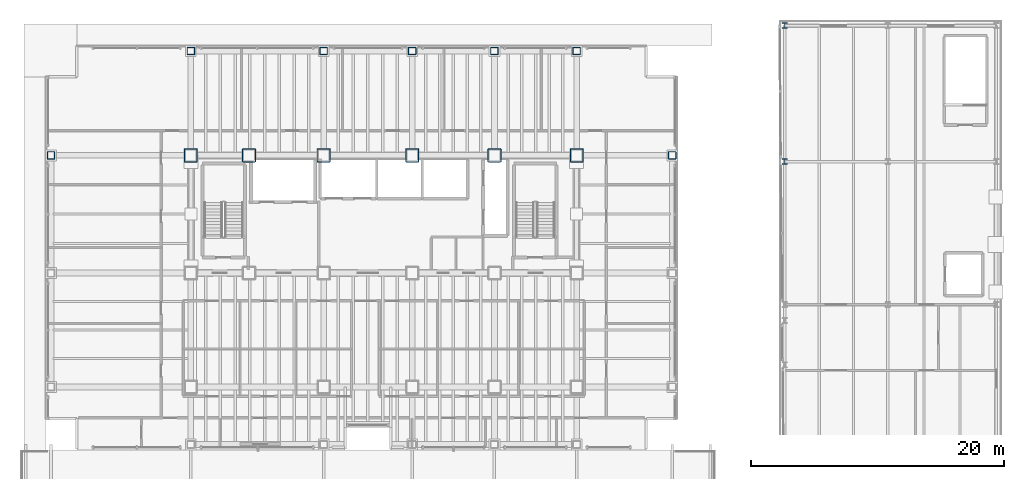
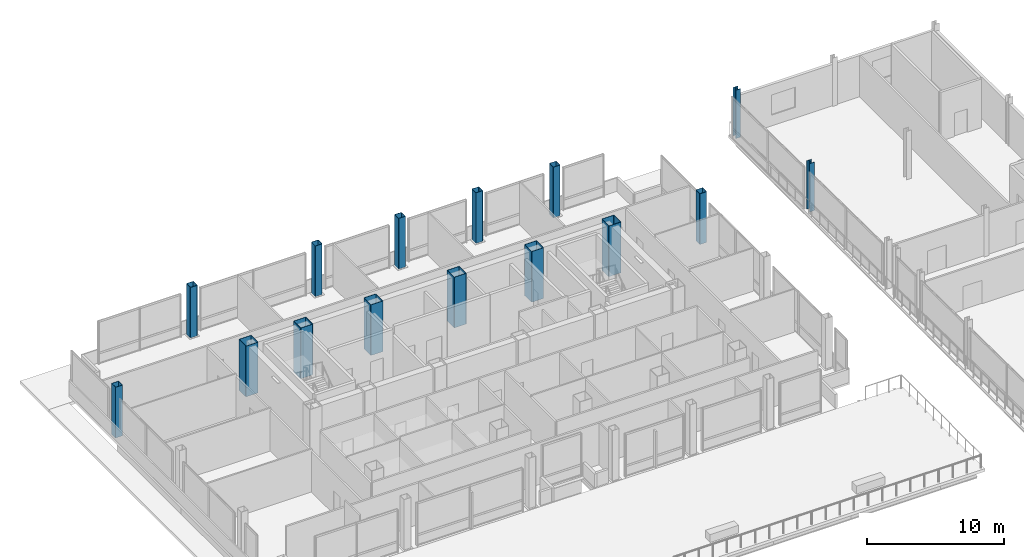
# One storey, part 2 of 34: 15 columns.
"""IFC4 building model written with IfcOpenShell, lengths in metres."""

from ifc_helpers import new_model, si_unit, direction, frame, origin, origin_2d, place, context, subcontext, project, spatial, hollow_rectangle, i_section, extrude, material, material_profile, profile_set, type_object, element, save


model = new_model("IFC4")

# Units and contexts
model_context = context("Model", 3, precision=1e-05, world=origin(), true_north=direction((0.0, 1.0)))
body_context = subcontext(model_context, "Body", "Model", "MODEL_VIEW")
ifc_project = project(units=[si_unit("LENGTHUNIT", "METRE"), si_unit("AREAUNIT", "SQUARE_METRE"), si_unit("VOLUMEUNIT", "CUBIC_METRE"), si_unit("PLANEANGLEUNIT", "RADIAN"), si_unit("MASSUNIT", "GRAM", prefix="KILO")], contexts=[model_context])

# Site, building, storey
site_placement = place(None, origin())
site = spatial("IfcSite", under=ifc_project, at=site_placement, CompositionType="ELEMENT")
building_placement = place(site_placement, origin())
building = spatial("IfcBuilding", under=site, at=building_placement, Name="Noeulbin Bourse Tower", CompositionType="ELEMENT")
storey_placement = place(building_placement, frame((0.0, 0.0, 22.0)))
storey = spatial("IfcBuildingStorey", under=building, at=storey_placement, Name="L05", CompositionType="ELEMENT", Elevation=22.0)

# Columns
ifc_material_1 = material(Name="Steel S355", Category="steel")
ifc_material_profile_1 = material_profile(ifc_material_1, i_section(OverallWidth=0.406982421875, OverallDepth=0.427978515625, WebThickness=0.02001953125, FlangeThickness=0.034912109375, FilletRadius=0.02197265625, at=origin_2d()), Name="H-428x407x20x35", Category="LoadBearing")
ifc_profile_set_1 = profile_set([ifc_material_profile_1], Name="Steel S355")
column_type_1 = type_object("IfcColumnType", Name="COL-MKT-ST", PredefinedType="COLUMN", material=ifc_profile_set_1)
for number, where, z_axis, x_axis, name in (
    (1, (60.449951171875, 37.800048828125, 0.0), (0.0, 0.0, 1.0), (1.0, 0.0, 0.0), "Market Hall Column COL-MKT-ST 06"),
    (2, (60.449951171875, 48.550048828125, 0.0), (0.0, 0.0, 1.0), (1.0, 0.0, 0.0), "Market Hall Column COL-MKT-ST 07"),
):
    element("IfcColumn", number, at=place(storey_placement, frame(where, z_axis=z_axis, x_axis=x_axis)), inside=storey, type_object=column_type_1, Name=name, PredefinedType="COLUMN", context=body_context, shape_type="SweptSolid", body=[
        extrude(i_section(OverallWidth=0.406982421875, OverallDepth=0.427978515625, WebThickness=0.02001953125, FlangeThickness=0.034912109375, FilletRadius=0.02197265625, at=origin_2d()), origin(), (0.0, 0.0, 1.0), 4.2900390625),
    ])
ifc_material_2 = material(Name="Steel S460", Category="steel")
ifc_material_profile_2 = material_profile(ifc_material_2, hollow_rectangle(XDim=0.60009765625, YDim=0.60009765625, WallThickness=0.02587890625, InnerFilletRadius=0.012939453125, OuterFilletRadius=0.0390625, at=origin_2d()), Name="BOX-600x600x26", Category="LoadBearing")
ifc_profile_set_2 = profile_set([ifc_material_profile_2], Name="Steel S460")
column_type_2 = type_object("IfcColumnType", Name="COL-PER-Z1", PredefinedType="COLUMN", material=ifc_profile_set_2)
for number, where, z_axis, x_axis, name in (
    (3, (2.449951171875, 38.300048828125, 0.0), (0.0, 0.0, 1.0), (1.0, 0.0, 0.0), "Tower Perimeter Column COL-PER-Z1 03"),
    (4, (13.5, 46.550048828125, 0.0), (0.0, 0.0, 1.0), (1.0, 0.0, 0.0), "Tower Perimeter Column COL-PER-Z1 05"),
    (5, (24.0, 46.550048828125, 0.0), (0.0, 0.0, 1.0), (1.0, 0.0, 0.0), "Tower Perimeter Column COL-PER-Z1 07"),
    (6, (31.0, 46.550048828125, 0.0), (0.0, 0.0, 1.0), (1.0, 0.0, 0.0), "Tower Perimeter Column COL-PER-Z1 09"),
    (7, (37.5, 46.550048828125, 0.0), (0.0, 0.0, 1.0), (1.0, 0.0, 0.0), "Tower Perimeter Column COL-PER-Z1 11"),
    (8, (44.0, 46.550048828125, 0.0), (0.0, 0.0, 1.0), (1.0, 0.0, 0.0), "Tower Perimeter Column COL-PER-Z1 13"),
    (9, (51.550048828125, 38.300048828125, 0.0), (0.0, 0.0, 1.0), (1.0, 0.0, 0.0), "Tower Perimeter Column COL-PER-Z1 16"),
):
    element("IfcColumn", number, at=place(storey_placement, frame(where, z_axis=z_axis, x_axis=x_axis)), inside=storey, type_object=column_type_2, Name=name, PredefinedType="COLUMN", context=body_context, shape_type="SweptSolid", body=[
        extrude(hollow_rectangle(XDim=0.60009765625, YDim=0.60009765625, WallThickness=0.02587890625, InnerFilletRadius=0.012939453125, OuterFilletRadius=0.0390625, at=origin_2d()), origin(), (0.0, 0.0, 1.0), 4.5),
    ])
ifc_material_profile_3 = material_profile(ifc_material_2, hollow_rectangle(XDim=1.050048828125, YDim=1.050048828125, WallThickness=0.0380859375, InnerFilletRadius=0.01904296875, OuterFilletRadius=0.056884765625, at=origin_2d()), Name="BOX-1050x1050x38", Category="LoadBearing")
ifc_profile_set_3 = profile_set([ifc_material_profile_3], Name="Steel S460")
column_type_3 = type_object("IfcColumnType", Name="COL-TRK-Z1", PredefinedType="COLUMN", material=ifc_profile_set_3)
for number, where, z_axis, x_axis, name in (
    (10, (13.5, 38.300048828125, 0.0), (0.0, 0.0, 1.0), (1.0, 0.0, 0.0), "Tower Trunk Mega-Column COL-TRK-Z1 02"),
    (11, (18.10009765625, 38.300048828125, 0.0), (0.0, 0.0, 1.0), (1.0, 0.0, 0.0), "Tower Trunk Mega-Column COL-TRK-Z1 04"),
    (12, (24.0, 38.300048828125, 0.0), (0.0, 0.0, 1.0), (1.0, 0.0, 0.0), "Tower Trunk Mega-Column COL-TRK-Z1 06"),
    (13, (31.0, 38.300048828125, 0.0), (0.0, 0.0, 1.0), (1.0, 0.0, 0.0), "Tower Trunk Mega-Column COL-TRK-Z1 08"),
    (14, (37.5, 38.300048828125, 0.0), (0.0, 0.0, 1.0), (1.0, 0.0, 0.0), "Tower Trunk Mega-Column COL-TRK-Z1 10"),
    (15, (44.0, 38.300048828125, 0.0), (0.0, 0.0, 1.0), (1.0, 0.0, 0.0), "Tower Trunk Mega-Column COL-TRK-Z1 12"),
):
    element("IfcColumn", number, at=place(storey_placement, frame(where, z_axis=z_axis, x_axis=x_axis)), inside=storey, type_object=column_type_3, Name=name, PredefinedType="COLUMN", context=body_context, shape_type="SweptSolid", body=[
        extrude(hollow_rectangle(XDim=1.050048828125, YDim=1.050048828125, WallThickness=0.0380859375, InnerFilletRadius=0.01904296875, OuterFilletRadius=0.056884765625, at=origin_2d()), origin(), (0.0, 0.0, 1.0), 4.5),
    ])

save(model, "model.ifc")
